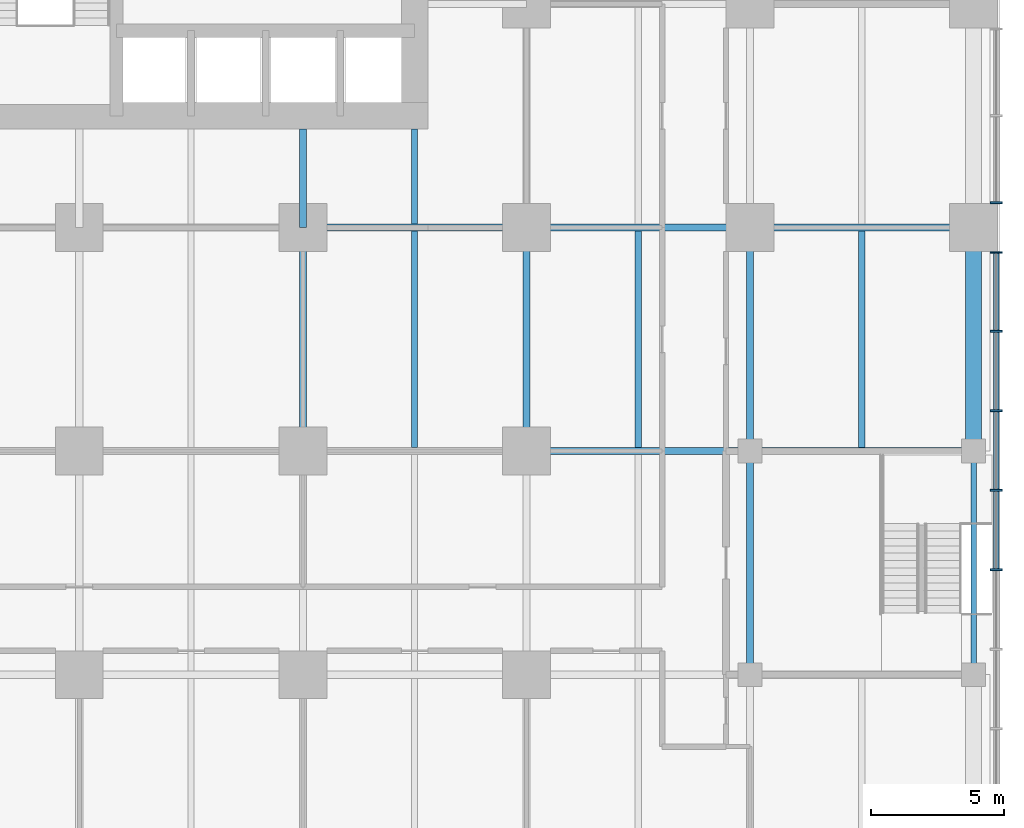
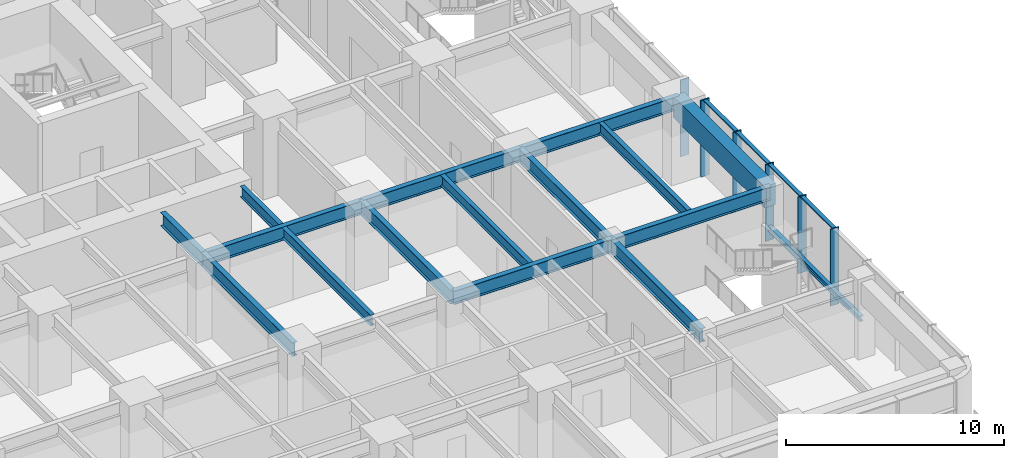
# One storey, part 4 of 20: 16 beams, 10 members, 1 element without a shape of its own.
"""IFC4 building model written with IfcOpenShell, lengths in metres."""

from ifc_helpers import new_model, si_unit, direction, frame, origin, origin_2d, place, context, subcontext, project, spatial, rectangle, i_section, extrude, material, material_profile, profile_set, type_object, element, aggregate, save


model = new_model("IFC4")

# Units and contexts
model_context = context("Model", 3, precision=1e-05, world=origin(), true_north=direction((0.0, 1.0)))
body_context = subcontext(model_context, "Body", "Model", "MODEL_VIEW")
ifc_project = project(units=[si_unit("LENGTHUNIT", "METRE"), si_unit("AREAUNIT", "SQUARE_METRE"), si_unit("VOLUMEUNIT", "CUBIC_METRE"), si_unit("PLANEANGLEUNIT", "RADIAN"), si_unit("MASSUNIT", "GRAM", prefix="KILO")], contexts=[model_context])

# Site, building, storey
site_placement = place(None, origin())
site = spatial("IfcSite", under=ifc_project, at=site_placement, CompositionType="ELEMENT")
building_placement = place(site_placement, origin())
building = spatial("IfcBuilding", under=site, at=building_placement, Name="Torre Alcanfor", CompositionType="ELEMENT")
storey_placement = place(building_placement, frame((0.0, 0.0, 10.5)))
storey = spatial("IfcBuildingStorey", under=building, at=storey_placement, Name="L02", CompositionType="ELEMENT", Elevation=10.5)

# Curtain wall, members
ifc_material_1 = material(Name="Aluminium and glass", Category="aluminium")
curtain_wall_type = type_object("IfcCurtainWallType", Name="CW-B unitised classroom glazing with vertical FIN", PredefinedType="NOTDEFINED", material=ifc_material_1)
curtain_wall_placement = place(storey_placement, origin())
curtain_wall = element("IfcCurtainWall", 1, at=curtain_wall_placement, inside=storey, type_object=curtain_wall_type, Name="Curtain wall CW-B L02 1", PredefinedType="NOTDEFINED")
ifc_material_2 = material(Name="Bronze anodised aluminium", Category="aluminium")
ifc_material_profile_1 = material_profile(ifc_material_2, rectangle(XDim=0.449951171875, YDim=0.06494140625, at=origin_2d()), Name="CW-B mullion 65x450")
ifc_profile_set_1 = profile_set([ifc_material_profile_1], Name="Bronze anodised aluminium")
member_type_1 = type_object("IfcMemberType", Name="CW-B mullion with vertical FIN 65x450", PredefinedType="MULLION", material=ifc_profile_set_1)
member_1_placement = place(storey_placement, frame((59.64990234375, 3.947509765625, 0.0), z_axis=(0.0, 0.0, 1.0), x_axis=(-1.0, 0.0, 0.0)))
member_1 = element("IfcMember", 2, at=member_1_placement, type_object=member_type_1, Name="CW-B mullion 1.5", PredefinedType="MULLION", context=body_context, shape_type="SweptSolid", body=[
    extrude(rectangle(XDim=0.449951171875, YDim=0.06494140625, at=origin_2d()), origin(), (0.0, 0.0, 1.0), 4.300048828125),
])
member_2_placement = place(storey_placement, frame((59.64990234375, 6.934326171875, 0.0), z_axis=(0.0, 0.0, 1.0), x_axis=(-1.0, 0.0, 0.0)))
member_2 = element("IfcMember", 3, at=member_2_placement, type_object=member_type_1, Name="CW-B mullion 1.6", PredefinedType="MULLION", context=body_context, shape_type="SweptSolid", body=[
    extrude(rectangle(XDim=0.449951171875, YDim=0.06494140625, at=origin_2d()), origin(), (0.0, 0.0, 1.0), 4.300048828125),
])
member_3_placement = place(storey_placement, frame((59.64990234375, 9.921142578125, 0.0), z_axis=(0.0, 0.0, 1.0), x_axis=(-1.0, 0.0, 0.0)))
member_3 = element("IfcMember", 4, at=member_3_placement, type_object=member_type_1, Name="CW-B mullion 1.7", PredefinedType="MULLION", context=body_context, shape_type="SweptSolid", body=[
    extrude(rectangle(XDim=0.449951171875, YDim=0.06494140625, at=origin_2d()), origin(), (0.0, 0.0, 1.0), 4.300048828125),
])
member_4_placement = place(storey_placement, frame((59.64990234375, 12.908203125, 0.0), z_axis=(0.0, 0.0, 1.0), x_axis=(-1.0, 0.0, 0.0)))
member_4 = element("IfcMember", 5, at=member_4_placement, type_object=member_type_1, Name="CW-B mullion 1.8", PredefinedType="MULLION", context=body_context, shape_type="SweptSolid", body=[
    extrude(rectangle(XDim=0.449951171875, YDim=0.06494140625, at=origin_2d()), origin(), (0.0, 0.0, 1.0), 4.300048828125),
])
member_5_placement = place(storey_placement, frame((59.64990234375, 15.862548828125, 0.0), z_axis=(0.0, 0.0, 1.0), x_axis=(-1.0, 0.0, 0.0)))
member_5 = element("IfcMember", 6, at=member_5_placement, type_object=member_type_1, Name="CW-B mullion 1.9", PredefinedType="MULLION", context=body_context, shape_type="SweptSolid", body=[
    extrude(rectangle(XDim=0.449951171875, YDim=0.06494140625, at=origin_2d()), origin(), (0.0, 0.0, 1.0), 4.300048828125),
])
member_6_placement = place(storey_placement, frame((59.64990234375, 17.737548828125, 0.0), z_axis=(0.0, 0.0, 1.0), x_axis=(-1.0, 0.0, 0.0)))
member_6 = element("IfcMember", 7, at=member_6_placement, type_object=member_type_1, Name="CW-B mullion 2.1", PredefinedType="MULLION", context=body_context, shape_type="SweptSolid", body=[
    extrude(rectangle(XDim=0.449951171875, YDim=0.06494140625, at=origin_2d()), origin(), (0.0, 0.0, 1.0), 4.300048828125),
])
ifc_material_3 = material(Name="Extruded aluminium", Category="aluminium")
ifc_material_profile_2 = material_profile(ifc_material_3, rectangle(XDim=0.199951171875, YDim=0.06494140625, at=origin_2d()), Name="CW-B transom 200x65")
ifc_profile_set_2 = profile_set([ifc_material_profile_2], Name="Extruded aluminium")
member_type_2 = type_object("IfcMemberType", Name="CW-B transom 65x200", PredefinedType="USERDEFINED", material=ifc_profile_set_2)
member_7_placement = place(storey_placement, frame((59.64990234375, 3.97998046875, 4.267578125), z_axis=(0.0, 1.0, 0.0), x_axis=(-1.0, 0.0, 0.0)))
member_7 = element("IfcMember", 8, at=member_7_placement, type_object=member_type_2, Name="CW-B transom 1.5.2", ObjectType="TRANSOM", PredefinedType="USERDEFINED", context=body_context, shape_type="SweptSolid", body=[
    extrude(rectangle(XDim=0.199951171875, YDim=0.06494140625, at=origin_2d()), origin(), (0.0, 0.0, 1.0), 2.921875),
])
member_8_placement = place(storey_placement, frame((59.64990234375, 6.966796875, 4.267578125), z_axis=(0.0, 1.0, 0.0), x_axis=(-1.0, 0.0, 0.0)))
member_8 = element("IfcMember", 9, at=member_8_placement, type_object=member_type_2, Name="CW-B transom 1.6.2", ObjectType="TRANSOM", PredefinedType="USERDEFINED", context=body_context, shape_type="SweptSolid", body=[
    extrude(rectangle(XDim=0.199951171875, YDim=0.06494140625, at=origin_2d()), origin(), (0.0, 0.0, 1.0), 2.921875),
])
member_9_placement = place(storey_placement, frame((59.64990234375, 9.953857421875, 4.267578125), z_axis=(0.0, 1.0, 0.0), x_axis=(-1.0, 0.0, 0.0)))
member_9 = element("IfcMember", 10, at=member_9_placement, type_object=member_type_2, Name="CW-B transom 1.7.2", ObjectType="TRANSOM", PredefinedType="USERDEFINED", context=body_context, shape_type="SweptSolid", body=[
    extrude(rectangle(XDim=0.199951171875, YDim=0.06494140625, at=origin_2d()), origin(), (0.0, 0.0, 1.0), 2.921875),
])
member_10_placement = place(storey_placement, frame((59.64990234375, 12.940673828125, 4.267578125), z_axis=(0.0, 1.0, 0.0), x_axis=(-1.0, 0.0, 0.0)))
member_10 = element("IfcMember", 11, at=member_10_placement, type_object=member_type_2, Name="CW-B transom 1.8.2", ObjectType="TRANSOM", PredefinedType="USERDEFINED", context=body_context, shape_type="SweptSolid", body=[
    extrude(rectangle(XDim=0.199951171875, YDim=0.06494140625, at=origin_2d()), origin(), (0.0, 0.0, 1.0), 2.889404296875),
])
aggregate(curtain_wall, [member_1, member_2, member_3, member_4, member_5, member_7, member_8, member_9, member_10, member_6])

# Beams
ifc_material_4 = material(Name="Steel ASTM A992 Grade 50", Category="steel")
ifc_material_profile_3 = material_profile(ifc_material_4, i_section(OverallWidth=0.2666015625, OverallDepth=0.7568359375, WebThickness=0.013916015625, FlangeThickness=0.019287109375, at=origin_2d()), Name="W30x108")
ifc_profile_set_3 = profile_set([ifc_material_profile_3], Name="Steel ASTM A992 Grade 50")
beam_type_1 = type_object("IfcBeamType", Name="Girder W30x108", PredefinedType="BEAM", material=ifc_profile_set_3)
beam_1_placement = place(storey_placement, frame((42.0, 8.39990234375, 3.921630859375), z_axis=(1.0, 0.0, 0.0), x_axis=(0.0, 1.0, 0.0)))
element("IfcBeam", 12, at=beam_1_placement, inside=storey, type_object=beam_type_1, Name="Beam 6D-7D under L03", PredefinedType="BEAM", context=body_context, shape_type="SweptSolid", body=[
    extrude(i_section(OverallWidth=0.2666015625, OverallDepth=0.7568359375, WebThickness=0.013916015625, FlangeThickness=0.019287109375, at=origin_2d()), origin(), (0.0, 0.0, 1.0), 8.39990234375),
])
beam_2_placement = place(storey_placement, frame((50.39990234375, 8.39990234375, 3.921630859375), z_axis=(1.0, 0.0, 0.0), x_axis=(0.0, 1.0, 0.0)))
element("IfcBeam", 13, at=beam_2_placement, inside=storey, type_object=beam_type_1, Name="Beam 7D-8D under L03", PredefinedType="BEAM", context=body_context, shape_type="SweptSolid", body=[
    extrude(i_section(OverallWidth=0.2666015625, OverallDepth=0.7568359375, WebThickness=0.013916015625, FlangeThickness=0.019287109375, at=origin_2d()), origin(), (0.0, 0.0, 1.0), 8.400146484375),
])
for number, where, z_axis, x_axis, name in (
    (14, (33.60009765625, 16.800048828125, 3.921630859375), (1.0, 0.0, 0.0), (0.0, 1.0, 0.0), "Beam 5E-6E under L03"),
    (15, (42.0, 16.800048828125, 3.921630859375), (1.0, 0.0, 0.0), (0.0, 1.0, 0.0), "Beam 6E-7E under L03"),
):
    element("IfcBeam", number, at=place(storey_placement, frame(where, z_axis=z_axis, x_axis=x_axis)), inside=storey, type_object=beam_type_1, Name=name, PredefinedType="BEAM", context=body_context, shape_type="SweptSolid", body=[
        extrude(i_section(OverallWidth=0.2666015625, OverallDepth=0.7568359375, WebThickness=0.013916015625, FlangeThickness=0.019287109375, at=origin_2d()), origin(), (0.0, 0.0, 1.0), 8.39990234375),
    ])
for number, where, z_axis, x_axis, name in (
    (16, (50.39990234375, 16.800048828125, 3.921630859375), (1.0, 0.0, 0.0), (0.0, 1.0, 0.0), "Beam 7E-8E under L03"),
    (17, (33.60009765625, 8.39990234375, 3.921630859375), (0.0, 1.0, 0.0), (-1.0, 0.0, 0.0), "Beam 5D-5E under L03"),
    (18, (42.0, 8.39990234375, 3.921630859375), (0.0, 1.0, 0.0), (-1.0, 0.0, 0.0), "Beam 6D-6E under L03"),
):
    element("IfcBeam", number, at=place(storey_placement, frame(where, z_axis=z_axis, x_axis=x_axis)), inside=storey, type_object=beam_type_1, Name=name, PredefinedType="BEAM", context=body_context, shape_type="SweptSolid", body=[
        extrude(i_section(OverallWidth=0.2666015625, OverallDepth=0.7568359375, WebThickness=0.013916015625, FlangeThickness=0.019287109375, at=origin_2d()), origin(), (0.0, 0.0, 1.0), 8.400146484375),
    ])
beam_3_placement = place(storey_placement, frame((50.39990234375, 0.0, 3.921630859375), z_axis=(0.0, 1.0, 0.0), x_axis=(-1.0, 0.0, 0.0)))
element("IfcBeam", 19, at=beam_3_placement, inside=storey, type_object=beam_type_1, Name="Beam 7C-7D under L03", PredefinedType="BEAM", context=body_context, shape_type="SweptSolid", body=[
    extrude(i_section(OverallWidth=0.2666015625, OverallDepth=0.7568359375, WebThickness=0.013916015625, FlangeThickness=0.019287109375, at=origin_2d()), origin(), (0.0, 0.0, 1.0), 8.39990234375),
])
beam_4_placement = place(storey_placement, frame((50.39990234375, 8.39990234375, 3.921630859375), z_axis=(0.0, 1.0, 0.0), x_axis=(-1.0, 0.0, 0.0)))
element("IfcBeam", 20, at=beam_4_placement, inside=storey, type_object=beam_type_1, Name="Beam 7D-7E under L03", PredefinedType="BEAM", context=body_context, shape_type="SweptSolid", body=[
    extrude(i_section(OverallWidth=0.2666015625, OverallDepth=0.7568359375, WebThickness=0.013916015625, FlangeThickness=0.019287109375, at=origin_2d()), origin(), (0.0, 0.0, 1.0), 8.400146484375),
])
ifc_material_5 = material(Name="Steel ASTM A992 Grade 50", Category="steel")
ifc_material_profile_4 = material_profile(ifc_material_5, i_section(OverallWidth=0.2666015625, OverallDepth=0.7568359375, WebThickness=0.013916015625, FlangeThickness=0.019287109375, at=origin_2d()), Name="W30x108")
ifc_profile_set_4 = profile_set([ifc_material_profile_4], Name="Steel ASTM A992 Grade 50")
beam_type_2 = type_object("IfcBeamType", Name="Girder, part bay W30x108", PredefinedType="BEAM", material=ifc_profile_set_4)
beam_5_placement = place(storey_placement, frame((33.60009765625, 16.800048828125, 3.921630859375), z_axis=(0.0, 1.0, 0.0), x_axis=(-1.0, 0.0, 0.0)))
element("IfcBeam", 21, at=beam_5_placement, inside=storey, type_object=beam_type_2, Name="Beam 5E-520_5 under L03", PredefinedType="BEAM", context=body_context, shape_type="SweptSolid", body=[
    extrude(i_section(OverallWidth=0.2666015625, OverallDepth=0.7568359375, WebThickness=0.013916015625, FlangeThickness=0.019287109375, at=origin_2d()), origin(), (0.0, 0.0, 1.0), 3.699951171875),
])
ifc_material_6 = material(Name="Concrete f'c 70 MPa", Category="concrete")
ifc_material_profile_5 = material_profile(ifc_material_6, rectangle(XDim=0.60009765625, YDim=1.199951171875, at=origin_2d()), Name="600x1200")
ifc_profile_set_5 = profile_set([ifc_material_profile_5], Name="Concrete f'c 70 MPa")
beam_type_3 = type_object("IfcBeamType", Name="RC perimeter beam 600x1200", PredefinedType="BEAM", material=ifc_profile_set_5)
beam_6_placement = place(storey_placement, frame((58.800048828125, 8.39990234375, 3.699951171875), z_axis=(0.0, 1.0, 0.0), x_axis=(-1.0, 0.0, 0.0)))
element("IfcBeam", 22, at=beam_6_placement, inside=storey, type_object=beam_type_3, Name="Beam 8D-8E under L03", PredefinedType="BEAM", context=body_context, shape_type="SweptSolid", body=[
    extrude(rectangle(XDim=0.60009765625, YDim=1.199951171875, at=origin_2d()), origin(), (0.0, 0.0, 1.0), 8.400146484375),
])
ifc_material_7 = material(Name="Steel ASTM A992 Grade 50", Category="steel")
ifc_material_profile_6 = material_profile(ifc_material_7, i_section(OverallWidth=0.203369140625, OverallDepth=0.30224609375, WebThickness=0.007568359375, FlangeThickness=0.01318359375, at=origin_2d()), Name="W12x40")
ifc_profile_set_6 = profile_set([ifc_material_profile_6], Name="Steel ASTM A992 Grade 50")
beam_type_4 = type_object("IfcBeamType", Name="School stair landing beam W12x40", PredefinedType="BEAM", material=ifc_profile_set_6)
beam_7_placement = place(storey_placement, frame((58.800048828125, 0.0, 1.89892578125), z_axis=(0.0, 1.0, 0.0), x_axis=(-1.0, 0.0, 0.0)))
element("IfcBeam", 23, at=beam_7_placement, inside=storey, type_object=beam_type_4, Name="Landing beam SS3 L02", PredefinedType="BEAM", context=body_context, shape_type="SweptSolid", body=[
    extrude(i_section(OverallWidth=0.203369140625, OverallDepth=0.30224609375, WebThickness=0.007568359375, FlangeThickness=0.01318359375, at=origin_2d()), origin(), (0.0, 0.0, 1.0), 8.39990234375),
])
ifc_material_8 = material(Name="Steel ASTM A992 Grade 50", Category="steel")
ifc_material_profile_7 = material_profile(ifc_material_8, i_section(OverallWidth=0.22900390625, OverallDepth=0.612060546875, WebThickness=0.011962890625, FlangeThickness=0.01953125, at=origin_2d()), Name="W24x84")
ifc_profile_set_7 = profile_set([ifc_material_profile_7], Name="Steel ASTM A992 Grade 50")
beam_type_5 = type_object("IfcBeamType", Name="Secondary beam W24x84", PredefinedType="BEAM", material=ifc_profile_set_7)
for number, where, z_axis, x_axis, name in (
    (24, (37.800048828125, 8.532958984375, 3.993896484375), (0.0, 1.0, 0.0), (-1.0, 0.0, 0.0), "Beam 37_8D-37_8E under L03"),
    (25, (46.199951171875, 8.532958984375, 3.993896484375), (0.0, 1.0, 0.0), (-1.0, 0.0, 0.0), "Beam 46_2D-46_2E under L03"),
    (26, (54.60009765625, 8.532958984375, 3.993896484375), (0.0, 1.0, 0.0), (-1.0, 0.0, 0.0), "Beam 54_6D-54_6E under L03"),
):
    element("IfcBeam", number, at=place(storey_placement, frame(where, z_axis=z_axis, x_axis=x_axis)), inside=storey, type_object=beam_type_5, Name=name, PredefinedType="BEAM", context=body_context, shape_type="SweptSolid", body=[
        extrude(i_section(OverallWidth=0.22900390625, OverallDepth=0.612060546875, WebThickness=0.011962890625, FlangeThickness=0.01953125, at=origin_2d()), origin(), (0.0, 0.0, 1.0), 8.134033203125),
    ])
ifc_material_9 = material(Name="Steel ASTM A992 Grade 50", Category="steel")
ifc_material_profile_8 = material_profile(ifc_material_9, i_section(OverallWidth=0.22900390625, OverallDepth=0.612060546875, WebThickness=0.011962890625, FlangeThickness=0.01953125, at=origin_2d()), Name="W24x84")
ifc_profile_set_8 = profile_set([ifc_material_profile_8], Name="Steel ASTM A992 Grade 50")
beam_type_6 = type_object("IfcBeamType", Name="Secondary beam, part bay W24x84", PredefinedType="BEAM", material=ifc_profile_set_8)
beam_8_placement = place(storey_placement, frame((37.800048828125, 16.93310546875, 3.993896484375), z_axis=(0.0, 1.0, 0.0), x_axis=(-1.0, 0.0, 0.0)))
element("IfcBeam", 27, at=beam_8_placement, inside=storey, type_object=beam_type_6, Name="Beam 37_8E-37_820_5 under L03", PredefinedType="BEAM", context=body_context, shape_type="SweptSolid", body=[
    extrude(i_section(OverallWidth=0.22900390625, OverallDepth=0.612060546875, WebThickness=0.011962890625, FlangeThickness=0.01953125, at=origin_2d()), origin(), (0.0, 0.0, 1.0), 3.56689453125),
])

save(model, "model.ifc")
